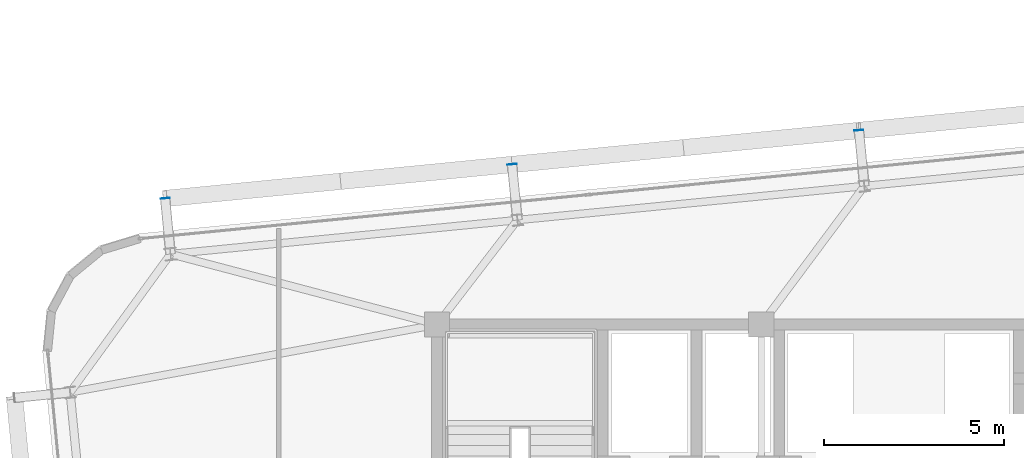
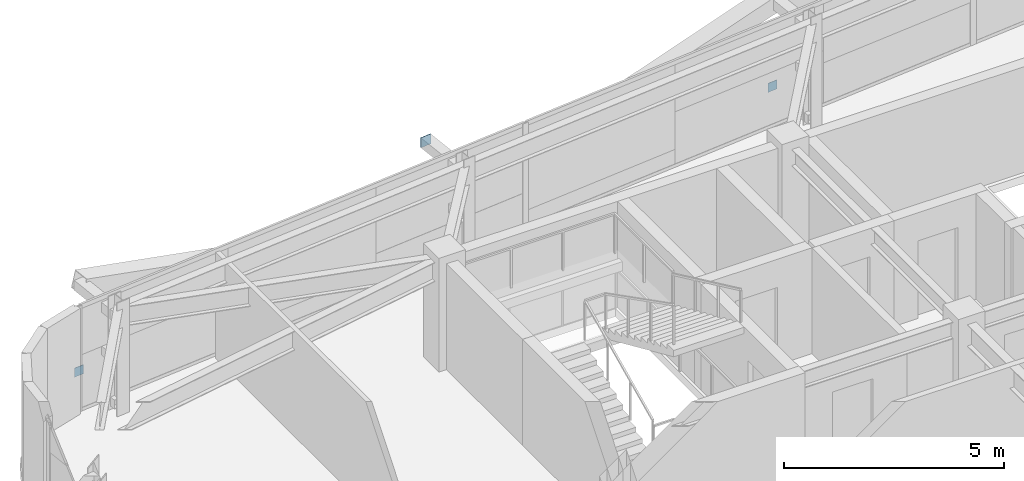
# One storey, part 38 of 47: 3 plates.
"""IFC4 building model written with IfcOpenShell, lengths in metres."""

from ifc_helpers import new_model, si_unit, direction, frame, origin, origin_2d, place, context, subcontext, project, spatial, rectangle, extrude, source, transform, mapped, material, layer, layer_set, type_object, element, save


model = new_model("IFC4")

# Units and contexts
model_context = context("Model", 3, precision=1e-05, world=origin(), true_north=direction((0.0, 1.0)))
body_context = subcontext(model_context, "Body", "Model", "MODEL_VIEW")
ifc_project = project(units=[si_unit("LENGTHUNIT", "METRE"), si_unit("AREAUNIT", "SQUARE_METRE"), si_unit("VOLUMEUNIT", "CUBIC_METRE"), si_unit("PLANEANGLEUNIT", "RADIAN"), si_unit("MASSUNIT", "GRAM", prefix="KILO")], contexts=[model_context])

# Site, building, storey
site_placement = place(None, origin())
site = spatial("IfcSite", under=ifc_project, at=site_placement, CompositionType="ELEMENT")
building_placement = place(site_placement, origin())
building = spatial("IfcBuilding", under=site, at=building_placement, Name="Taldren Reach Tower", CompositionType="ELEMENT")
storey_placement = place(building_placement, frame((0.0, 0.0, 90.300048828125)))
storey = spatial("IfcBuildingStorey", under=building, at=storey_placement, Name="L27", CompositionType="ELEMENT", Elevation=90.300048828125)

# Plates
ifc_material_1 = material(Name="Steel Gr 450 (C450L0)", Category="steel")
ifc_layer_1 = layer(ifc_material_1, 0.011962890625)
ifc_layer_set_1 = layer_set([ifc_layer_1], Name="Steel Gr 450 (C450L0)")
plate_type_1 = type_object("IfcPlateType", Name="PL-CAP-275", PredefinedType="SHEET", material=ifc_layer_set_1)
shared_shape_1 = source(origin(), body_context, "Body", "SweptSolid", [
    extrude(rectangle(XDim=0.27490234375, YDim=0.011962890625, at=origin_2d()), origin(), (0.0, 0.0, 1.0), 0.27490234375),
])
plate_placement = place(storey_placement, frame((21.078857421875, 36.449951171875, 2.512451171875), z_axis=(0.0, 0.0, 1.0), x_axis=(0.995227399982, 0.097582899759, 0.0)))
element("IfcPlate", 1, at=plate_placement, inside=storey, type_object=plate_type_1, Name="Tie strut end cap plate B2-N2 L27", PredefinedType="SHEET", context=body_context, shape_type="MappedRepresentation", body=[
    mapped(shared_shape_1, transform((0.0, 0.0, 0.0), scale=1.0)),
])
ifc_material_2 = material(Name="Steel Gr 350 (C350L0)", Category="steel")
ifc_layer_2 = layer(ifc_material_2, 0.011962890625)
ifc_layer_set_2 = layer_set([ifc_layer_2], Name="Steel Gr 350 (C350L0)")
plate_type_2 = type_object("IfcPlateType", Name="PL-CAP-250", PredefinedType="SHEET", material=ifc_layer_set_2)
shared_shape_2 = source(origin(), body_context, "Body", "SweptSolid", [
    extrude(rectangle(XDim=0.25, YDim=0.011962890625, at=origin_2d()), origin(), (0.0, 0.0, 1.0), 0.25),
])
for number, where, z_axis, x_axis, name in (
    (2, (11.445068359375, 35.50537109375, 0.094970703125), (0.0, 0.0, 1.0), (0.995227399982, 0.097582899759, 0.0), "Tie strut end cap plate B2-N1 L27"),
    (3, (30.712646484375, 37.394775390625, 0.094970703125), (0.0, 0.0, 1.0), (0.995227399982, 0.097582899759, 0.0), "Tie strut end cap plate B2-N3 L27"),
):
    element("IfcPlate", number, at=place(storey_placement, frame(where, z_axis=z_axis, x_axis=x_axis)), inside=storey, type_object=plate_type_2, Name=name, PredefinedType="SHEET", context=body_context, shape_type="MappedRepresentation", body=[
        mapped(shared_shape_2, transform((0.0, 0.0, 0.0), scale=1.0)),
    ])

save(model, "model.ifc")
